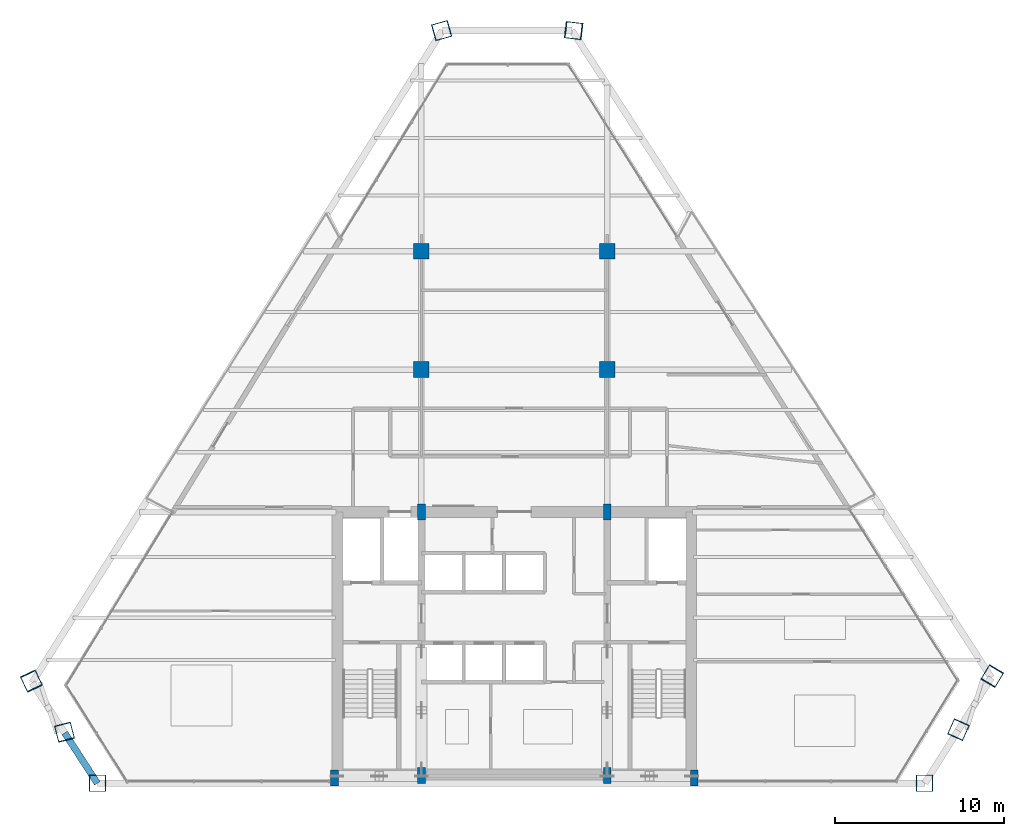
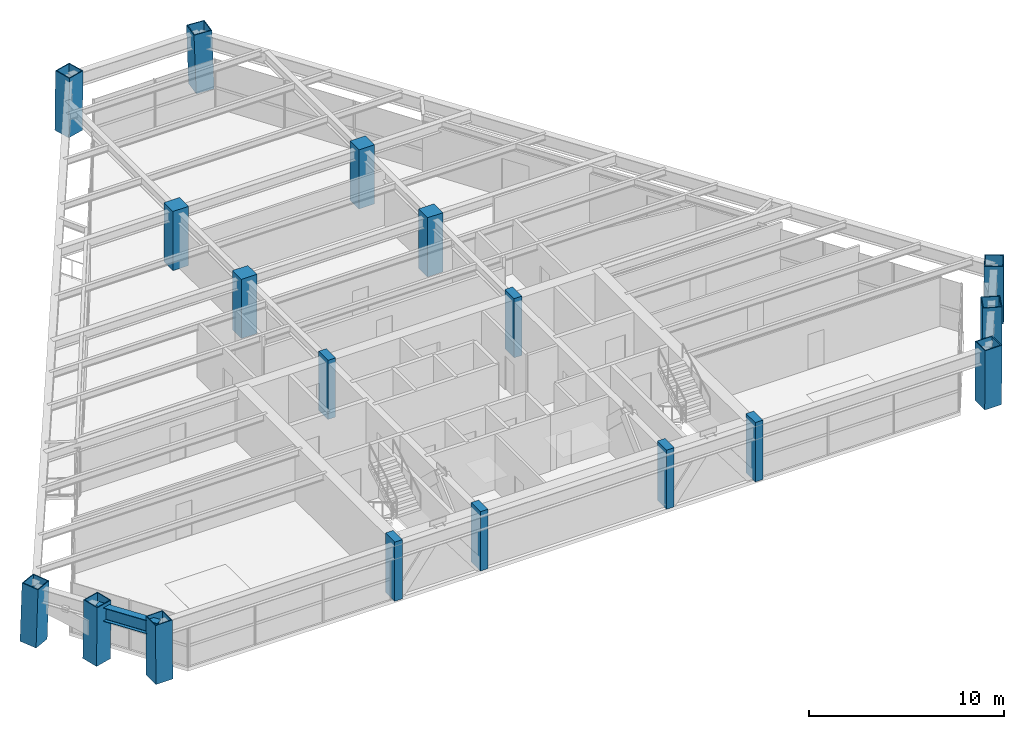
# One storey, part 1 of 15: 18 columns, 1 beam.
"""IFC4 building model written with IfcOpenShell, lengths in metres."""

from ifc_helpers import new_model, si_unit, direction, frame, origin, origin_2d, place, context, subcontext, project, spatial, rectangle, hollow_rectangle, i_section, extrude, source, transform, mapped, material, material_profile, profile_set, type_object, type_shapes, element, save


model = new_model("IFC4")

# Units and contexts
model_context = context("Model", 3, precision=1e-05, world=origin(), true_north=direction((0.0, 1.0)))
body_context = subcontext(model_context, "Body", "Model", "MODEL_VIEW")
ifc_project = project(units=[si_unit("LENGTHUNIT", "METRE"), si_unit("AREAUNIT", "SQUARE_METRE"), si_unit("VOLUMEUNIT", "CUBIC_METRE"), si_unit("PLANEANGLEUNIT", "RADIAN"), si_unit("MASSUNIT", "GRAM", prefix="KILO")], contexts=[model_context])

# Site, building, storey
site_placement = place(None, origin())
site = spatial("IfcSite", under=ifc_project, at=site_placement, CompositionType="ELEMENT")
building_placement = place(site_placement, origin())
building = spatial("IfcBuilding", under=site, at=building_placement, Name="Varnakhor Terracotta Tower", CompositionType="ELEMENT")
storey_placement = place(building_placement, frame((0.0, 0.0, 196.89990234375)))
storey = spatial("IfcBuildingStorey", under=building, at=storey_placement, Name="L50", CompositionType="ELEMENT", Elevation=196.89990234375)

# Columns
ifc_material_1 = material(Name="Concrete C50/60", Category="concrete")
ifc_material_profile_1 = material_profile(ifc_material_1, rectangle(XDim=0.449951171875, YDim=0.949951171875, at=origin_2d()), Name="RC PILASTER 950x450")
ifc_profile_set_1 = profile_set([ifc_material_profile_1], Name="Concrete C50/60")
column_type_1 = type_object("IfcColumnType", Name="COL-PIL-950x450", PredefinedType="PILASTER", material=ifc_profile_set_1)
shared_shape_1 = source(origin(), body_context, "Body", "SweptSolid", [
    extrude(rectangle(XDim=0.449951171875, YDim=0.949951171875, at=origin_2d()), origin(), (0.0, 0.0, 1.0), 3.7001953125),
])
for number, where, z_axis, x_axis, name in (
    (1, (-10.64990234375, 0.300048828125, 0.0), (0.0, 0.0, 1.0), (1.0, 0.0, 0.0), "L50 Core Pilaster CP1"),
    (2, (-5.5, 0.449951171875, 0.0), (0.0, 0.0, 1.0), (1.0, 0.0, 0.0), "L50 Core Pilaster CP2"),
    (3, (5.5, 0.449951171875, 0.0), (0.0, 0.0, 1.0), (1.0, 0.0, 0.0), "L50 Core Pilaster CP3"),
    (4, (10.64990234375, 0.300048828125, 0.0), (0.0, 0.0, 1.0), (1.0, 0.0, 0.0), "L50 Core Pilaster CP4"),
    (5, (-5.5, 16.050048828125, 0.0), (0.0, 0.0, 1.0), (1.0, 0.0, 0.0), "L50 Core Pilaster CP5"),
    (6, (5.5, 16.050048828125, 0.0), (0.0, 0.0, 1.0), (1.0, 0.0, 0.0), "L50 Core Pilaster CP6"),
):
    element("IfcColumn", number, at=place(storey_placement, frame(where, z_axis=z_axis, x_axis=x_axis)), inside=storey, type_object=column_type_1, Name=name, PredefinedType="PILASTER", context=body_context, shape_type="MappedRepresentation", body=[
        mapped(shared_shape_1, transform((0.0, 0.0, 0.0), scale=1.0)),
    ])
ifc_material_profile_2 = material_profile(ifc_material_1, rectangle(XDim=0.919921875, YDim=0.919921875, at=origin_2d()), Name="RC 920x920")
ifc_profile_set_2 = profile_set([ifc_material_profile_2], Name="Concrete C50/60")
column_type_2 = type_object("IfcColumnType", Name="COL-RC-920", PredefinedType="COLUMN", material=ifc_profile_set_2)
shared_shape_2 = source(origin(), body_context, "Body", "SweptSolid", [
    extrude(rectangle(XDim=0.919921875, YDim=0.919921875, at=origin_2d()), origin(), (0.0, 0.0, 1.0), 3.7001953125),
])
for number, where, z_axis, x_axis, name in (
    (7, (-5.5, 24.5, 0.0), (0.0, 0.0, 1.0), (1.0, 0.0, 0.0), "L50 Interior Tower Column IC1"),
    (8, (5.5, 24.5, 0.0), (0.0, 0.0, 1.0), (1.0, 0.0, 0.0), "L50 Interior Tower Column IC2"),
    (9, (-5.5, 31.5, 0.0), (0.0, 0.0, 1.0), (1.0, 0.0, 0.0), "L50 Interior Tower Column IC3"),
    (10, (5.5, 31.5, 0.0), (0.0, 0.0, 1.0), (1.0, 0.0, 0.0), "L50 Interior Tower Column IC4"),
):
    element("IfcColumn", number, at=place(storey_placement, frame(where, z_axis=z_axis, x_axis=x_axis)), inside=storey, type_object=column_type_2, Name=name, PredefinedType="COLUMN", context=body_context, shape_type="MappedRepresentation", body=[
        mapped(shared_shape_2, transform((0.0, 0.0, 0.0), scale=1.0)),
    ])
ifc_material_2 = material(Name="Steel S460", Category="steel")
ifc_material_profile_3 = material_profile(ifc_material_2, hollow_rectangle(XDim=1.0, YDim=1.0, WallThickness=0.050048828125, at=origin_2d()), Name="BOX 1000x1000x50")
ifc_profile_set_3 = profile_set([ifc_material_profile_3], Name="Steel S460")
column_type_3 = type_object("IfcColumnType", Name="COL-MEGA-1000", PredefinedType="COLUMN", material=ifc_profile_set_3)
shared_shape_3 = source(origin(), body_context, "Body", "SweptSolid", [
    extrude(hollow_rectangle(XDim=1.0, YDim=1.0, WallThickness=0.050048828125, at=origin_2d()), origin(), (0.0, 0.0, 1.0), 3.69140625),
])
type_shapes(column_type_3, [shared_shape_3])
for number, where, z_axis, x_axis, name in (
    (11, (-24.672119140625, 0.0, 0.00439453125), (-0.006282944769, 0.0, 0.999980262108), (0.0, -1.0, 0.0), "L50 Perimeter Mega-Column M1"),
    (12, (24.2939453125, 0.0, 0.00439453125), (0.004563444546, 0.0, 0.999989587433), (0.0, 1.0, 0.0), "L50 Perimeter Mega-Column M2"),
):
    element("IfcColumn", number, at=place(storey_placement, frame(where, z_axis=z_axis, x_axis=x_axis)), inside=storey, type_object=column_type_3, Name=name, PredefinedType="COLUMN", context=body_context, shape_type="MappedRepresentation", body=[
        mapped(shared_shape_3, transform((0.0, 0.0, 0.0), scale=1.0)),
    ])
shared_shape_4 = source(origin(), body_context, "Body", "SweptSolid", [
    extrude(hollow_rectangle(XDim=1.0, YDim=1.0, WallThickness=0.050048828125, at=origin_2d()), origin(), (0.0, 0.0, 1.0), 3.693359375),
])
column_placement = place(storey_placement, frame((3.531005859375, 44.565673828125, 0.00439453125), z_axis=(-0.032852377324, 0.003899980407, 0.999452605908), x_axis=(-0.117884529714, -0.993027309622, 0.0)))
element("IfcColumn", 13, at=column_placement, inside=storey, type_object=column_type_3, Name="L50 Perimeter Mega-Column M5", PredefinedType="COLUMN", context=body_context, shape_type="MappedRepresentation", body=[
    mapped(shared_shape_4, transform((0.0, 0.0, 0.0), scale=1.0)),
])
shared_shape_5 = source(origin(), body_context, "Body", "SweptSolid", [
    extrude(hollow_rectangle(XDim=1.0, YDim=1.0, WallThickness=0.050048828125, at=origin_2d()), origin(), (0.0, 0.0, 1.0), 3.693603515625),
])
for number, where, z_axis, x_axis, name in (
    (14, (28.30908203125, 6.363037109375, 0.00439453125), (-0.01731817879, -0.028951764543, 0.999430775999), (0.858183677083, -0.513342747479, 0.0), "L50 Perimeter Mega-Column M4"),
    (15, (-28.607421875, 6.067626953125, 0.00439453125), (0.014409767242, -0.030538130577, 0.999429727989), (0.904374580339, 0.426739520593, 0.0), "L50 Perimeter Mega-Column M7"),
):
    element("IfcColumn", number, at=place(storey_placement, frame(where, z_axis=z_axis, x_axis=x_axis)), inside=storey, type_object=column_type_3, Name=name, PredefinedType="COLUMN", context=body_context, shape_type="MappedRepresentation", body=[
        mapped(shared_shape_5, transform((0.0, 0.0, 0.0), scale=1.0)),
    ])
shared_shape_6 = source(origin(), body_context, "Body", "SweptSolid", [
    extrude(hollow_rectangle(XDim=1.0, YDim=1.0, WallThickness=0.050048828125, at=origin_2d()), origin(), (0.0, 0.0, 1.0), 3.69189453125),
])
for number, where, z_axis, x_axis, name in (
    (16, (26.301513671875, 3.181396484375, 0.00439453125), (-0.006414539113, -0.014482309955, 0.999874550324), (0.914327305822, -0.4049760213, 0.0), "L50 Perimeter Mega-Column M3"),
    (17, (-4.314697265625, 44.565673828125, 0.00439453125), (0.013953561622, 0.003901706804, 0.999895031892), (-0.269291313929, 0.963058766765, 0.0), "L50 Perimeter Mega-Column M6"),
    (18, (-26.6396484375, 3.03369140625, 0.00439453125), (0.0039677597, -0.015275874847, 0.999875444508), (0.967883702921, 0.251398364395, 0.0), "L50 Perimeter Mega-Column M8"),
):
    element("IfcColumn", number, at=place(storey_placement, frame(where, z_axis=z_axis, x_axis=x_axis)), inside=storey, type_object=column_type_3, Name=name, PredefinedType="COLUMN", context=body_context, shape_type="MappedRepresentation", body=[
        mapped(shared_shape_6, transform((0.0, 0.0, 0.0), scale=1.0)),
    ])

# Beam
ifc_material_3 = material(Name="Steel S355", Category="steel")
ifc_material_profile_4 = material_profile(ifc_material_3, i_section(OverallWidth=0.39990234375, OverallDepth=0.85498046875, WebThickness=0.01806640625, FlangeThickness=0.029052734375, FilletRadius=0.01806640625, at=origin_2d()), Name="W33X201")
ifc_profile_set_4 = profile_set([ifc_material_profile_4], Name="Steel S355")
beam_type = type_object("IfcBeamType", Name="BM-W33X201", PredefinedType="BEAM", material=ifc_profile_set_4)
shared_shape_7 = source(origin(), body_context, "Body", "SweptSolid", [
    extrude(i_section(OverallWidth=0.39990234375, OverallDepth=0.85498046875, WebThickness=0.01806640625, FlangeThickness=0.029052734375, FilletRadius=0.01806640625, at=origin_2d()), origin(), (0.0, 0.0, 1.0), 3.5478515625),
])
beam_placement = place(storey_placement, frame((-26.625, 2.977294921875, 3.04248046875), z_axis=(0.543887378284, -0.839158220923, 0.0), x_axis=(0.839158220923, 0.543887378284, 0.0)))
element("IfcBeam", 19, at=beam_placement, inside=storey, type_object=beam_type, Name="L50 Perimeter Spandrel 8", PredefinedType="BEAM", context=body_context, shape_type="MappedRepresentation", body=[
    mapped(shared_shape_7, transform((0.0, 0.0, 0.0), scale=1.0)),
])

save(model, "model.ifc")
